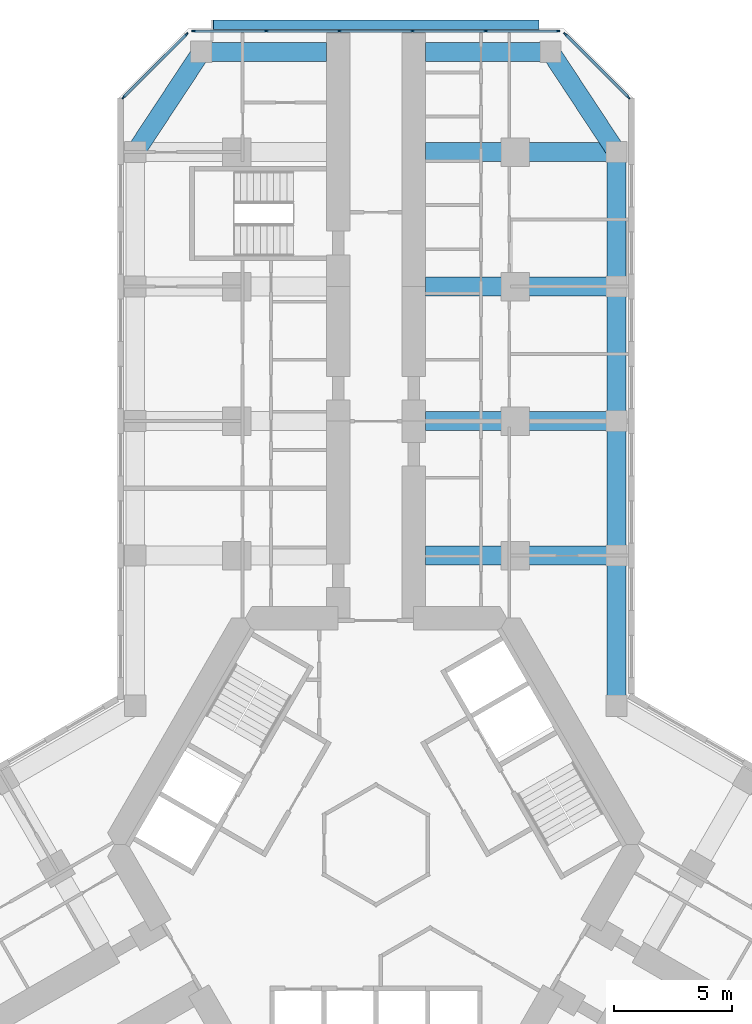
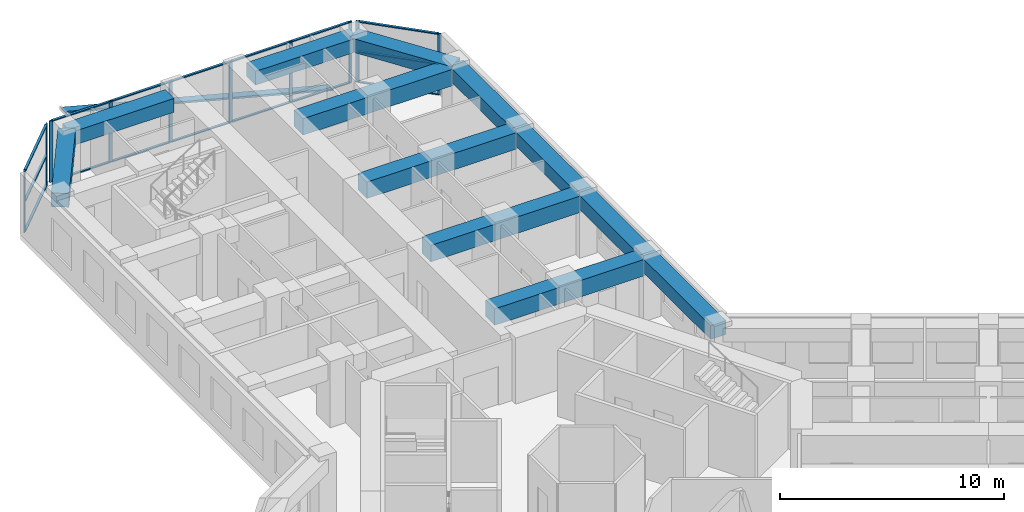
# One storey, part 7 of 21: 27 members, 12 beams, 3 elements without a shape of their own.
"""IFC4 building model written with IfcOpenShell, lengths in metres."""

from ifc_helpers import new_model, si_unit, direction, frame, origin, origin_2d, place, context, subcontext, project, spatial, rectangle, extrude, material, material_profile, profile_set, type_object, element, aggregate, save


model = new_model("IFC4")

# Units and contexts
model_context = context("Model", 3, precision=1e-05, world=origin(), true_north=direction((0.0, 1.0)))
body_context = subcontext(model_context, "Body", "Model", "MODEL_VIEW")
ifc_project = project(units=[si_unit("LENGTHUNIT", "METRE"), si_unit("AREAUNIT", "SQUARE_METRE"), si_unit("VOLUMEUNIT", "CUBIC_METRE"), si_unit("PLANEANGLEUNIT", "RADIAN"), si_unit("MASSUNIT", "GRAM", prefix="KILO")], contexts=[model_context])

# Site, building, storey
site_placement = place(None, origin())
site = spatial("IfcSite", under=ifc_project, at=site_placement, CompositionType="ELEMENT")
building_placement = place(site_placement, origin())
building = spatial("IfcBuilding", under=site, at=building_placement, Name="Kosmar Iwan School Tower", CompositionType="ELEMENT")
storey_placement = place(building_placement, frame((0.0, 0.0, 106.0)))
storey = spatial("IfcBuildingStorey", under=building, at=storey_placement, Name="L26", CompositionType="ELEMENT", Elevation=106.0)

# Member
ifc_material_1 = material(Name="Black anodised aluminium", Category="aluminium")
ifc_material_profile_1 = material_profile(ifc_material_1, rectangle(XDim=0.10009765625, YDim=0.39990234375, at=origin_2d()), Name="FIN 100x400")
ifc_profile_set_1 = profile_set([ifc_material_profile_1], Name="Black anodised aluminium")
member_type_1 = type_object("IfcMemberType", Name="Diagonal fin 100x400", PredefinedType="USERDEFINED", material=ifc_profile_set_1)
member_1_placement = place(storey_placement, frame((6.898193359375, 34.75, -0.14990234375), z_axis=(-0.967603633438, 0.0, 0.252474174041), x_axis=(0.252474174041, 0.0, 0.967603633438)))
element("IfcMember", 1, at=member_1_placement, inside=storey, type_object=member_type_1, Name="Diagonal fin L26-F08", ObjectType="FIN", PredefinedType="USERDEFINED", context=body_context, shape_type="SweptSolid", body=[
    extrude(rectangle(XDim=0.10009765625, YDim=0.39990234375, at=origin_2d()), origin(), (0.0, 0.0, 1.0), 14.25830078125),
])

# Curtain wall, members
ifc_material_2 = material(Name="Dark glass in black aluminium frame", Category="aluminium")
curtain_wall_type_1 = type_object("IfcCurtainWallType", Name="Chamfer curtain wall dark glass", PredefinedType="USERDEFINED", material=ifc_material_2)
curtain_wall_1_placement = place(storey_placement, origin())
curtain_wall_1 = element("IfcCurtainWall", 2, at=curtain_wall_1_placement, inside=storey, type_object=curtain_wall_type_1, Name="Curtain wall L26-F07", ObjectType="FACETED CURTAIN WALL", PredefinedType="USERDEFINED")
ifc_material_3 = material(Name="Black anodised aluminium", Category="aluminium")
ifc_material_profile_2 = material_profile(ifc_material_3, rectangle(XDim=0.06005859375, YDim=0.159912109375, at=origin_2d()), Name="MULLION 60x160")
ifc_profile_set_2 = profile_set([ifc_material_profile_2], Name="Black anodised aluminium")
member_type_2 = type_object("IfcMemberType", Name="Mullion 60x160", PredefinedType="MULLION", material=ifc_profile_set_2)
member_2_placement = place(storey_placement, frame((10.69775390625, 31.675537109375, 0.0), z_axis=(0.0, 0.0, 1.0), x_axis=(-0.707106781187, -0.707106781187, 0.0)))
member_2 = element("IfcMember", 3, at=member_2_placement, type_object=member_type_2, Name="CW2 mullion 1", PredefinedType="MULLION", context=body_context, shape_type="SweptSolid", body=[
    extrude(rectangle(XDim=0.06005859375, YDim=0.159912109375, at=origin_2d()), origin(), (0.0, 0.0, 1.0), 3.35009765625),
])
member_3_placement = place(storey_placement, frame((8.025390625, 34.34765625, 0.0), z_axis=(0.0, 0.0, 1.0), x_axis=(-0.707106781187, -0.707106781187, 0.0)))
member_3 = element("IfcMember", 4, at=member_3_placement, type_object=member_type_2, Name="CW2 mullion 2", PredefinedType="MULLION", context=body_context, shape_type="SweptSolid", body=[
    extrude(rectangle(XDim=0.06005859375, YDim=0.159912109375, at=origin_2d()), origin(), (0.0, 0.0, 1.0), 3.35009765625),
])

ifc_material_4 = material(Name="Dark glass in black aluminium frame", Category="aluminium")
curtain_wall_type_2 = type_object("IfcCurtainWallType", Name="Tower curtain wall dark glass", PredefinedType="USERDEFINED", material=ifc_material_4)
curtain_wall_2_placement = place(storey_placement, origin())
curtain_wall_2 = element("IfcCurtainWall", 5, at=curtain_wall_2_placement, inside=storey, type_object=curtain_wall_type_2, Name="Curtain wall L26-F08", ObjectType="UNITISED CURTAIN WALL", PredefinedType="USERDEFINED")
member_4_placement = place(storey_placement, frame((7.71826171875, 34.47509765625, 0.0), z_axis=(0.0, 0.0, 1.0), x_axis=(0.0, -1.0, 0.0)))
member_4 = element("IfcMember", 6, at=member_4_placement, type_object=member_type_2, Name="CW1 mullion 1", PredefinedType="MULLION", context=body_context, shape_type="SweptSolid", body=[
    extrude(rectangle(XDim=0.06005859375, YDim=0.159912109375, at=origin_2d()), origin(), (0.0, 0.0, 1.0), 3.35009765625),
])
member_5_placement = place(storey_placement, frame((4.64892578125, 34.47509765625, 0.0), z_axis=(0.0, 0.0, 1.0), x_axis=(0.0, -1.0, 0.0)))
member_5 = element("IfcMember", 7, at=member_5_placement, type_object=member_type_2, Name="CW1 mullion 2", PredefinedType="MULLION", context=body_context, shape_type="SweptSolid", body=[
    extrude(rectangle(XDim=0.06005859375, YDim=0.159912109375, at=origin_2d()), origin(), (0.0, 0.0, 1.0), 3.35009765625),
])
member_6_placement = place(storey_placement, frame((1.549560546875, 34.47509765625, 0.0), z_axis=(0.0, 0.0, 1.0), x_axis=(0.0, -1.0, 0.0)))
member_6 = element("IfcMember", 8, at=member_6_placement, type_object=member_type_2, Name="CW1 mullion 3", PredefinedType="MULLION", context=body_context, shape_type="SweptSolid", body=[
    extrude(rectangle(XDim=0.06005859375, YDim=0.159912109375, at=origin_2d()), origin(), (0.0, 0.0, 1.0), 3.35009765625),
])
member_7_placement = place(storey_placement, frame((-1.549560546875, 34.47509765625, 0.0), z_axis=(0.0, 0.0, 1.0), x_axis=(0.0, -1.0, 0.0)))
member_7 = element("IfcMember", 9, at=member_7_placement, type_object=member_type_2, Name="CW1 mullion 4", PredefinedType="MULLION", context=body_context, shape_type="SweptSolid", body=[
    extrude(rectangle(XDim=0.06005859375, YDim=0.159912109375, at=origin_2d()), origin(), (0.0, 0.0, 1.0), 3.35009765625),
])
member_8_placement = place(storey_placement, frame((-4.64892578125, 34.47509765625, 0.0), z_axis=(0.0, 0.0, 1.0), x_axis=(0.0, -1.0, 0.0)))
member_8 = element("IfcMember", 10, at=member_8_placement, type_object=member_type_2, Name="CW1 mullion 5", PredefinedType="MULLION", context=body_context, shape_type="SweptSolid", body=[
    extrude(rectangle(XDim=0.06005859375, YDim=0.159912109375, at=origin_2d()), origin(), (0.0, 0.0, 1.0), 3.35009765625),
])
member_9_placement = place(storey_placement, frame((-7.71826171875, 34.47509765625, 0.0), z_axis=(0.0, 0.0, 1.0), x_axis=(0.0, -1.0, 0.0)))
member_9 = element("IfcMember", 11, at=member_9_placement, type_object=member_type_2, Name="CW1 mullion 6", PredefinedType="MULLION", context=body_context, shape_type="SweptSolid", body=[
    extrude(rectangle(XDim=0.06005859375, YDim=0.159912109375, at=origin_2d()), origin(), (0.0, 0.0, 1.0), 3.35009765625),
])

curtain_wall_3_placement = place(storey_placement, origin())
curtain_wall_3 = element("IfcCurtainWall", 12, at=curtain_wall_3_placement, inside=storey, type_object=curtain_wall_type_1, Name="Curtain wall L26-F09", ObjectType="FACETED CURTAIN WALL", PredefinedType="USERDEFINED")
member_10_placement = place(storey_placement, frame((-8.025390625, 34.34765625, 0.0), z_axis=(0.0, 0.0, 1.0), x_axis=(0.707106781187, -0.707106781187, 0.0)))
member_10 = element("IfcMember", 13, at=member_10_placement, type_object=member_type_2, Name="CW2 mullion 1", PredefinedType="MULLION", context=body_context, shape_type="SweptSolid", body=[
    extrude(rectangle(XDim=0.06005859375, YDim=0.159912109375, at=origin_2d()), origin(), (0.0, 0.0, 1.0), 3.35009765625),
])
member_11_placement = place(storey_placement, frame((-10.69775390625, 31.675537109375, 0.0), z_axis=(0.0, 0.0, 1.0), x_axis=(0.707106781187, -0.707106781187, 0.0)))
member_11 = element("IfcMember", 14, at=member_11_placement, type_object=member_type_2, Name="CW2 mullion 2", PredefinedType="MULLION", context=body_context, shape_type="SweptSolid", body=[
    extrude(rectangle(XDim=0.06005859375, YDim=0.159912109375, at=origin_2d()), origin(), (0.0, 0.0, 1.0), 3.35009765625),
])

# Beams
ifc_material_5 = material(Name="Concrete C50/60", Category="concrete")
ifc_material_profile_3 = material_profile(ifc_material_5, rectangle(XDim=0.800048828125, YDim=0.75, at=origin_2d()), Name="RC 800x750")
ifc_profile_set_3 = profile_set([ifc_material_profile_3], Name="Concrete C50/60")
beam_type_1 = type_object("IfcBeamType", Name="RC edge beam 800x750", PredefinedType="BEAM", material=ifc_profile_set_3)
beam_1_placement = place(storey_placement, frame((10.199951171875, 5.888916015625, 2.97509765625), z_axis=(0.0, 1.0, 0.0), x_axis=(-1.0, 0.0, 0.0)))
element("IfcBeam", 15, at=beam_1_placement, inside=storey, type_object=beam_type_1, Name="Edge beam AR1", PredefinedType="BEAM", context=body_context, shape_type="SweptSolid", body=[
    extrude(rectangle(XDim=0.800048828125, YDim=0.75, at=origin_2d()), origin(), (0.0, 0.0, 1.0), 6.361083984375),
])
for number, where, z_axis, x_axis, name in (
    (16, (10.199951171875, 12.25, 2.97509765625), (0.0, 1.0, 0.0), (-1.0, 0.0, 0.0), "Edge beam AR2"),
    (17, (10.199951171875, 17.949951171875, 2.97509765625), (0.0, 1.0, 0.0), (-1.0, 0.0, 0.0), "Edge beam AR3"),
):
    element("IfcBeam", number, at=place(storey_placement, frame(where, z_axis=z_axis, x_axis=x_axis)), inside=storey, type_object=beam_type_1, Name=name, PredefinedType="BEAM", context=body_context, shape_type="SweptSolid", body=[
        extrude(rectangle(XDim=0.800048828125, YDim=0.75, at=origin_2d()), origin(), (0.0, 0.0, 1.0), 5.699951171875),
    ])
beam_2_placement = place(storey_placement, frame((10.199951171875, 23.64990234375, 2.97509765625), z_axis=(0.0, 1.0, 0.0), x_axis=(-1.0, 0.0, 0.0)))
element("IfcBeam", 18, at=beam_2_placement, inside=storey, type_object=beam_type_1, Name="Edge beam AR4", PredefinedType="BEAM", context=body_context, shape_type="SweptSolid", body=[
    extrude(rectangle(XDim=0.800048828125, YDim=0.75, at=origin_2d()), origin(), (0.0, 0.0, 1.0), 5.7001953125),
])
ifc_material_6 = material(Name="Concrete C50/60", Category="concrete")
ifc_material_profile_4 = material_profile(ifc_material_6, rectangle(XDim=0.800048828125, YDim=0.75, at=origin_2d()), Name="RC 800x750")
ifc_profile_set_4 = profile_set([ifc_material_profile_4], Name="Concrete C50/60")
beam_type_2 = type_object("IfcBeamType", Name="RC tip beam 800x750", PredefinedType="BEAM", material=ifc_profile_set_4)
beam_3_placement = place(storey_placement, frame((-10.199951171875, 29.35009765625, 2.97509765625), z_axis=(0.550164383043, 0.835056376319, 0.0), x_axis=(-0.835056376319, 0.550164383043, 0.0)))
element("IfcBeam", 19, at=beam_3_placement, inside=storey, type_object=beam_type_2, Name="Tip beam AL", PredefinedType="BEAM", context=body_context, shape_type="SweptSolid", body=[
    extrude(rectangle(XDim=0.800048828125, YDim=0.75, at=origin_2d()), origin(), (0.0, 0.0, 1.0), 5.08935546875),
])
beam_4_placement = place(storey_placement, frame((-7.39990234375, 33.60009765625, 2.97509765625), z_axis=(1.0, 0.0, 0.0), x_axis=(0.0, 1.0, 0.0)))
element("IfcBeam", 20, at=beam_4_placement, inside=storey, type_object=beam_type_2, Name="Tip beam AL to corridor wall", PredefinedType="BEAM", context=body_context, shape_type="SweptSolid", body=[
    extrude(rectangle(XDim=0.800048828125, YDim=0.75, at=origin_2d()), origin(), (0.0, 0.0, 1.0), 5.2998046875),
])
beam_5_placement = place(storey_placement, frame((10.199951171875, 29.35009765625, 2.97509765625), z_axis=(-0.550164383043, 0.835056376319, 0.0), x_axis=(-0.835056376319, -0.550164383043, 0.0)))
element("IfcBeam", 21, at=beam_5_placement, inside=storey, type_object=beam_type_2, Name="Tip beam AR", PredefinedType="BEAM", context=body_context, shape_type="SweptSolid", body=[
    extrude(rectangle(XDim=0.800048828125, YDim=0.75, at=origin_2d()), origin(), (0.0, 0.0, 1.0), 5.08935546875),
])
beam_6_placement = place(storey_placement, frame((7.39990234375, 33.60009765625, 2.97509765625), z_axis=(-1.0, 0.0, 0.0), x_axis=(0.0, -1.0, 0.0)))
element("IfcBeam", 22, at=beam_6_placement, inside=storey, type_object=beam_type_2, Name="Tip beam AR to corridor wall", PredefinedType="BEAM", context=body_context, shape_type="SweptSolid", body=[
    extrude(rectangle(XDim=0.800048828125, YDim=0.75, at=origin_2d()), origin(), (0.0, 0.0, 1.0), 5.2998046875),
])
ifc_material_7 = material(Name="Concrete C50/60", Category="concrete")
ifc_material_profile_5 = material_profile(ifc_material_7, rectangle(XDim=0.800048828125, YDim=0.89990234375, at=origin_2d()), Name="RC 800x900")
ifc_profile_set_5 = profile_set([ifc_material_profile_5], Name="Concrete C50/60")
beam_type_3 = type_object("IfcBeamType", Name="RC transverse beam 800x900", PredefinedType="BEAM", material=ifc_profile_set_5)
for number, where, z_axis, x_axis, name in (
    (23, (10.199951171875, 12.25, 2.89990234375), (-1.0, 0.0, 0.0), (0.0, -1.0, 0.0), "Transverse beam AR1"),
    (24, (10.199951171875, 17.949951171875, 2.89990234375), (-1.0, 0.0, 0.0), (0.0, -1.0, 0.0), "Transverse beam AR2"),
    (25, (10.199951171875, 23.64990234375, 2.89990234375), (-1.0, 0.0, 0.0), (0.0, -1.0, 0.0), "Transverse beam AR3"),
    (26, (10.199951171875, 29.35009765625, 2.89990234375), (-1.0, 0.0, 0.0), (0.0, -1.0, 0.0), "Transverse beam AR4"),
):
    element("IfcBeam", number, at=place(storey_placement, frame(where, z_axis=z_axis, x_axis=x_axis)), inside=storey, type_object=beam_type_3, Name=name, PredefinedType="BEAM", context=body_context, shape_type="SweptSolid", body=[
        extrude(rectangle(XDim=0.800048828125, YDim=0.89990234375, at=origin_2d()), origin(), (0.0, 0.0, 1.0), 8.099853515625),
    ])

# Member
ifc_material_8 = material(Name="Black anodised aluminium", Category="aluminium")
ifc_material_profile_6 = material_profile(ifc_material_8, rectangle(XDim=0.1201171875, YDim=0.06005859375, at=origin_2d()), Name="TRANSOM 60x120")
ifc_profile_set_6 = profile_set([ifc_material_profile_6], Name="Black anodised aluminium")
member_type_3 = type_object("IfcMemberType", Name="Transom 60x120", PredefinedType="USERDEFINED", material=ifc_profile_set_6)
member_12_placement = place(storey_placement, frame((10.676513671875, 31.69677734375, 0.030029296875), z_axis=(-0.707139603466, 0.707073957383, 0.0), x_axis=(-0.707073957383, -0.707139603466, 0.0)))
member_12 = element("IfcMember", 27, at=member_12_placement, type_object=member_type_3, Name="CW2 transom 1.1", ObjectType="TRANSOM", PredefinedType="USERDEFINED", context=body_context, shape_type="SweptSolid", body=[
    extrude(rectangle(XDim=0.1201171875, YDim=0.06005859375, at=origin_2d()), origin(), (0.0, 0.0, 1.0), 3.718994140625),
])

member_13_placement = place(storey_placement, frame((10.676513671875, 31.69677734375, 1.675048828125), z_axis=(-0.707139603466, 0.707073957383, 0.0), x_axis=(-0.707073957383, -0.707139603466, 0.0)))
member_13 = element("IfcMember", 28, at=member_13_placement, type_object=member_type_3, Name="CW2 transom 1.2", ObjectType="TRANSOM", PredefinedType="USERDEFINED", context=body_context, shape_type="SweptSolid", body=[
    extrude(rectangle(XDim=0.1201171875, YDim=0.06005859375, at=origin_2d()), origin(), (0.0, 0.0, 1.0), 3.718994140625),
])

member_14_placement = place(storey_placement, frame((10.676513671875, 31.69677734375, 3.320068359375), z_axis=(-0.707139603466, 0.707073957383, 0.0), x_axis=(-0.707073957383, -0.707139603466, 0.0)))
member_14 = element("IfcMember", 29, at=member_14_placement, type_object=member_type_3, Name="CW2 transom 1.3", ObjectType="TRANSOM", PredefinedType="USERDEFINED", context=body_context, shape_type="SweptSolid", body=[
    extrude(rectangle(XDim=0.1201171875, YDim=0.06005859375, at=origin_2d()), origin(), (0.0, 0.0, 1.0), 3.718994140625),
])

aggregate(curtain_wall_1, [member_2, member_3, member_12, member_13, member_14])

member_15_placement = place(storey_placement, frame((7.688232421875, 34.47509765625, 0.030029296875), z_axis=(-1.0, 0.0, 0.0), x_axis=(0.0, -1.0, 0.0)))
member_15 = element("IfcMember", 30, at=member_15_placement, type_object=member_type_3, Name="CW1 transom 1.1", ObjectType="TRANSOM", PredefinedType="USERDEFINED", context=body_context, shape_type="SweptSolid", body=[
    extrude(rectangle(XDim=0.1201171875, YDim=0.06005859375, at=origin_2d()), origin(), (0.0, 0.0, 1.0), 3.00927734375),
])

member_16_placement = place(storey_placement, frame((7.688232421875, 34.47509765625, 3.320068359375), z_axis=(-1.0, 0.0, 0.0), x_axis=(0.0, -1.0, 0.0)))
member_16 = element("IfcMember", 31, at=member_16_placement, type_object=member_type_3, Name="CW1 transom 1.2", ObjectType="TRANSOM", PredefinedType="USERDEFINED", context=body_context, shape_type="SweptSolid", body=[
    extrude(rectangle(XDim=0.1201171875, YDim=0.06005859375, at=origin_2d()), origin(), (0.0, 0.0, 1.0), 3.00927734375),
])

member_17_placement = place(storey_placement, frame((4.618896484375, 34.47509765625, 0.030029296875), z_axis=(-1.0, 0.0, 0.0), x_axis=(0.0, -1.0, 0.0)))
member_17 = element("IfcMember", 32, at=member_17_placement, type_object=member_type_3, Name="CW1 transom 2.1", ObjectType="TRANSOM", PredefinedType="USERDEFINED", context=body_context, shape_type="SweptSolid", body=[
    extrude(rectangle(XDim=0.1201171875, YDim=0.06005859375, at=origin_2d()), origin(), (0.0, 0.0, 1.0), 3.039306640625),
])

member_18_placement = place(storey_placement, frame((4.618896484375, 34.47509765625, 3.320068359375), z_axis=(-1.0, 0.0, 0.0), x_axis=(0.0, -1.0, 0.0)))
member_18 = element("IfcMember", 33, at=member_18_placement, type_object=member_type_3, Name="CW1 transom 2.2", ObjectType="TRANSOM", PredefinedType="USERDEFINED", context=body_context, shape_type="SweptSolid", body=[
    extrude(rectangle(XDim=0.1201171875, YDim=0.06005859375, at=origin_2d()), origin(), (0.0, 0.0, 1.0), 3.039306640625),
])

member_19_placement = place(storey_placement, frame((1.51953125, 34.47509765625, 0.030029296875), z_axis=(-1.0, 0.0, 0.0), x_axis=(0.0, -1.0, 0.0)))
member_19 = element("IfcMember", 34, at=member_19_placement, type_object=member_type_3, Name="CW1 transom 3.1", ObjectType="TRANSOM", PredefinedType="USERDEFINED", context=body_context, shape_type="SweptSolid", body=[
    extrude(rectangle(XDim=0.1201171875, YDim=0.06005859375, at=origin_2d()), origin(), (0.0, 0.0, 1.0), 3.0390625),
])

member_20_placement = place(storey_placement, frame((1.51953125, 34.47509765625, 3.320068359375), z_axis=(-1.0, 0.0, 0.0), x_axis=(0.0, -1.0, 0.0)))
member_20 = element("IfcMember", 35, at=member_20_placement, type_object=member_type_3, Name="CW1 transom 3.2", ObjectType="TRANSOM", PredefinedType="USERDEFINED", context=body_context, shape_type="SweptSolid", body=[
    extrude(rectangle(XDim=0.1201171875, YDim=0.06005859375, at=origin_2d()), origin(), (0.0, 0.0, 1.0), 3.0390625),
])

member_21_placement = place(storey_placement, frame((-1.57958984375, 34.47509765625, 0.030029296875), z_axis=(-1.0, 0.0, 0.0), x_axis=(0.0, -1.0, 0.0)))
member_21 = element("IfcMember", 36, at=member_21_placement, type_object=member_type_3, Name="CW1 transom 4.1", ObjectType="TRANSOM", PredefinedType="USERDEFINED", context=body_context, shape_type="SweptSolid", body=[
    extrude(rectangle(XDim=0.1201171875, YDim=0.06005859375, at=origin_2d()), origin(), (0.0, 0.0, 1.0), 3.039306640625),
])

member_22_placement = place(storey_placement, frame((-1.57958984375, 34.47509765625, 3.320068359375), z_axis=(-1.0, 0.0, 0.0), x_axis=(0.0, -1.0, 0.0)))
member_22 = element("IfcMember", 37, at=member_22_placement, type_object=member_type_3, Name="CW1 transom 4.2", ObjectType="TRANSOM", PredefinedType="USERDEFINED", context=body_context, shape_type="SweptSolid", body=[
    extrude(rectangle(XDim=0.1201171875, YDim=0.06005859375, at=origin_2d()), origin(), (0.0, 0.0, 1.0), 3.039306640625),
])

member_23_placement = place(storey_placement, frame((-4.678955078125, 34.47509765625, 0.030029296875), z_axis=(-1.0, 0.0, 0.0), x_axis=(0.0, -1.0, 0.0)))
member_23 = element("IfcMember", 38, at=member_23_placement, type_object=member_type_3, Name="CW1 transom 5.1", ObjectType="TRANSOM", PredefinedType="USERDEFINED", context=body_context, shape_type="SweptSolid", body=[
    extrude(rectangle(XDim=0.1201171875, YDim=0.06005859375, at=origin_2d()), origin(), (0.0, 0.0, 1.0), 3.00927734375),
])

member_24_placement = place(storey_placement, frame((-4.678955078125, 34.47509765625, 3.320068359375), z_axis=(-1.0, 0.0, 0.0), x_axis=(0.0, -1.0, 0.0)))
member_24 = element("IfcMember", 39, at=member_24_placement, type_object=member_type_3, Name="CW1 transom 5.2", ObjectType="TRANSOM", PredefinedType="USERDEFINED", context=body_context, shape_type="SweptSolid", body=[
    extrude(rectangle(XDim=0.1201171875, YDim=0.06005859375, at=origin_2d()), origin(), (0.0, 0.0, 1.0), 3.00927734375),
])

aggregate(curtain_wall_2, [member_4, member_5, member_6, member_7, member_8, member_9, member_15, member_16, member_17, member_18, member_19, member_20, member_21, member_22, member_23, member_24])

member_25_placement = place(storey_placement, frame((-8.046630859375, 34.326416015625, 0.030029296875), z_axis=(-0.707139603466, -0.707073957383, 0.0), x_axis=(0.707073957383, -0.707139603466, 0.0)))
member_25 = element("IfcMember", 40, at=member_25_placement, type_object=member_type_3, Name="CW2 transom 1.1", ObjectType="TRANSOM", PredefinedType="USERDEFINED", context=body_context, shape_type="SweptSolid", body=[
    extrude(rectangle(XDim=0.1201171875, YDim=0.06005859375, at=origin_2d()), origin(), (0.0, 0.0, 1.0), 3.718994140625),
])

member_26_placement = place(storey_placement, frame((-8.046630859375, 34.326416015625, 1.675048828125), z_axis=(-0.707139603466, -0.707073957383, 0.0), x_axis=(0.707073957383, -0.707139603466, 0.0)))
member_26 = element("IfcMember", 41, at=member_26_placement, type_object=member_type_3, Name="CW2 transom 1.2", ObjectType="TRANSOM", PredefinedType="USERDEFINED", context=body_context, shape_type="SweptSolid", body=[
    extrude(rectangle(XDim=0.1201171875, YDim=0.06005859375, at=origin_2d()), origin(), (0.0, 0.0, 1.0), 3.718994140625),
])

member_27_placement = place(storey_placement, frame((-8.046630859375, 34.326416015625, 3.320068359375), z_axis=(-0.707139603466, -0.707073957383, 0.0), x_axis=(0.707073957383, -0.707139603466, 0.0)))
member_27 = element("IfcMember", 42, at=member_27_placement, type_object=member_type_3, Name="CW2 transom 1.3", ObjectType="TRANSOM", PredefinedType="USERDEFINED", context=body_context, shape_type="SweptSolid", body=[
    extrude(rectangle(XDim=0.1201171875, YDim=0.06005859375, at=origin_2d()), origin(), (0.0, 0.0, 1.0), 3.718994140625),
])

aggregate(curtain_wall_3, [member_10, member_11, member_25, member_26, member_27])

save(model, "model.ifc")
